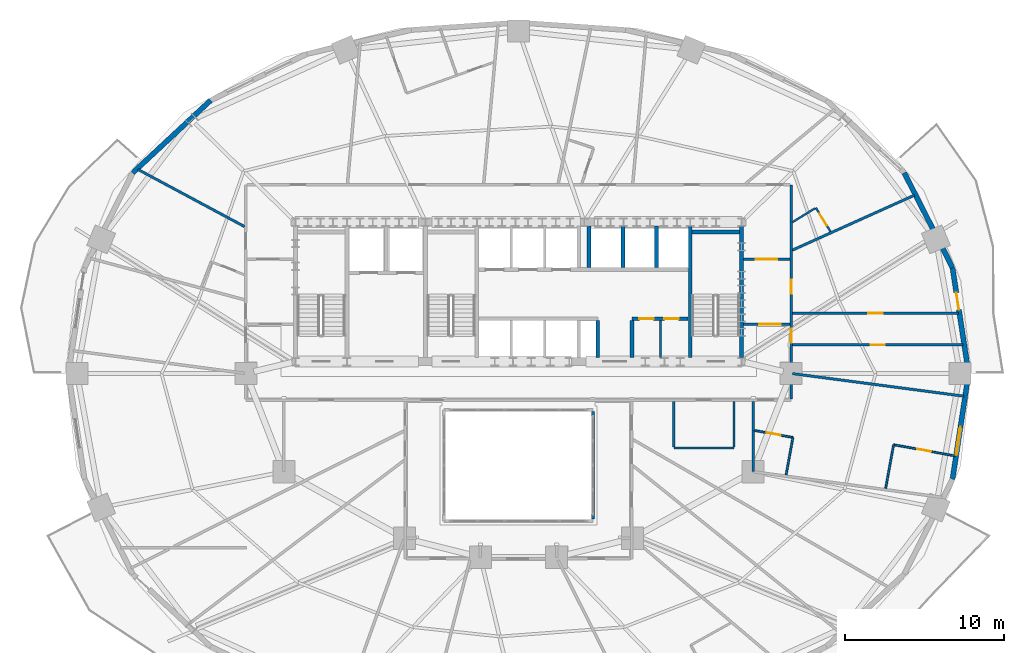
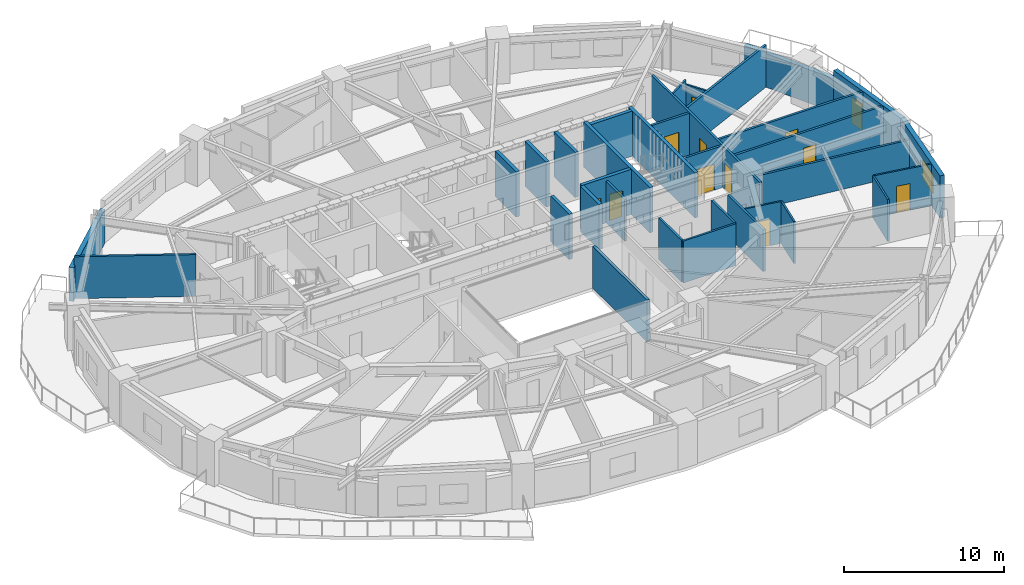
# One storey, part 10 of 16: 33 walls, 12 doors, 1 window, 13 openings.
"""IFC4 building model written with IfcOpenShell, lengths in metres."""

import ifcopenshell
import ifcopenshell.guid

model = None  # the IFC model being written
_history = None  # IfcOwnerHistory: only IFC2X3 demands one
_inside = {}  # id of a spatial element -> (the spatial element, [elements in it])
_under = {}  # id of a project, library or spatial element -> (it, [spatial elements below it])
_declared = {}  # id of a project -> (the project, [libraries it declares])
_typed = {}  # id of a type object -> (the type object, [elements of that type])
_made_of = {}  # id of a material, layer set ... -> (it, [elements and type objects made of it])


def new_model(schema):
    """Start an empty IFC model of exactly this schema.

    Asked for "IFC4X3", IfcOpenShell would pick the latest addendum, in which some entities
    have other attributes; the version numbers below select the first issue.
    IFC2X3 requires an IfcOwnerHistory on every rooted entity: one is made here for all.
    """
    global model, _history
    if schema == "IFC4X3":
        model = ifcopenshell.file(schema_version=(4, 3, 0, 0))
    else:
        model = ifcopenshell.file(schema=schema)
    _inside.clear()
    _under.clear()
    _declared.clear()
    _typed.clear()
    _made_of.clear()
    _history = None
    if model.schema == "IFC2X3":
        org = make("IfcOrganization", Name="unknown")
        user = make(
            "IfcPersonAndOrganization",
            ThePerson=make("IfcPerson", FamilyName="unknown"),
            TheOrganization=org,
        )
        app = make(
            "IfcApplication",
            ApplicationDeveloper=org,
            Version="unknown",
            ApplicationFullName="unknown",
            ApplicationIdentifier="unknown",
        )
        _history = make(
            "IfcOwnerHistory",
            OwningUser=user,
            OwningApplication=app,
            ChangeAction="ADDED",
            CreationDate=0,
        )
    return model


def make(cls, **values):
    """One entity of the class cls with the attributes given. An attribute that is None is left unset."""
    return model.create_entity(
        cls, **{name: value for name, value in values.items() if value is not None}
    )


def rooted(cls, **values):
    """An entity with a GlobalId (a new one), such as an element, a storey or a relation."""
    return make(cls, GlobalId=ifcopenshell.guid.new(), OwnerHistory=_history, **values)


def si_unit(unit_type, name, prefix=None):
    """IfcSIUnit, for example si_unit("LENGTHUNIT", "METRE", prefix="MILLI")."""
    return make("IfcSIUnit", UnitType=unit_type, Prefix=prefix, Name=name)


def assignment(units):
    """IfcUnitAssignment: the units of a project."""
    return None if units is None else make("IfcUnitAssignment", Units=units)


def point(xyz):
    """IfcCartesianPoint."""
    return None if xyz is None else make("IfcCartesianPoint", Coordinates=xyz)


def direction(xyz):
    """IfcDirection."""
    return None if xyz is None else make("IfcDirection", DirectionRatios=xyz)


def frame(location, z_axis=None, x_axis=None):
    """IfcAxis2Placement3D, a coordinate frame: its origin and axes. An axis left out is left unset."""
    return make(
        "IfcAxis2Placement3D",
        Location=point(location),
        Axis=direction(z_axis),
        RefDirection=direction(x_axis),
    )


def frame_2d(location, x_axis=None):
    """IfcAxis2Placement2D, a coordinate frame in the plane: its origin and x axis."""
    return make(
        "IfcAxis2Placement2D", Location=point(location), RefDirection=direction(x_axis)
    )


def origin():
    """The frame at (0, 0, 0) with its axes left unset."""
    return frame((0.0, 0.0, 0.0))


def place(relative_to, where):
    """IfcLocalPlacement: puts the frame where relative to a parent placement (None: the world)."""
    return make(
        "IfcLocalPlacement", PlacementRelTo=relative_to, RelativePlacement=where
    )


def context(
    kind, dimensions, precision=None, world=None, true_north=None, identifier=None
):
    """IfcGeometricRepresentationContext, for example the 3D "Model" context."""
    return make(
        "IfcGeometricRepresentationContext",
        ContextIdentifier=identifier,
        ContextType=kind,
        CoordinateSpaceDimension=dimensions,
        Precision=precision,
        WorldCoordinateSystem=world,
        TrueNorth=true_north,
    )


def subcontext(parent, identifier, kind, view, scale=None):
    """IfcGeometricRepresentationSubContext, for example "Body" below "Model"."""
    return make(
        "IfcGeometricRepresentationSubContext",
        ContextIdentifier=identifier,
        ContextType=kind,
        ParentContext=parent,
        TargetScale=scale,
        TargetView=view,
    )


def project(units=None, contexts=None):
    """IfcProject with its units and contexts."""
    return rooted(
        "IfcProject",
        Name="project",
        RepresentationContexts=contexts,
        UnitsInContext=assignment(units),
    )


def spatial(cls, under=None, at=None, **own):
    """A site, building, storey or space (cls), placed at a placement, below another one or the project."""
    s = rooted(cls, ObjectPlacement=at, **own)
    if under is not None:
        _under.setdefault(under.id(), (under, []))[1].append(s)
    return s


def profile(cls, at=None, kind="AREA", **sizes):
    """A parametric profile (cls). Its sizes go by their IFC names, for example OverallWidth=200.0."""
    return make(cls, ProfileType=kind, Position=at, **sizes)


def rectangle(**sizes):
    """IfcRectangleProfileDef."""
    return profile("IfcRectangleProfileDef", **sizes)


def extrude(swept, where, along, depth):
    """IfcExtrudedAreaSolid: the profile swept, set in the frame where, extruded along a direction by depth."""
    return make(
        "IfcExtrudedAreaSolid",
        SweptArea=swept,
        Position=where,
        ExtrudedDirection=direction(along),
        Depth=depth,
    )


def shape(context_of_items, identifier, shape_type, items):
    """IfcShapeRepresentation: the items that make up one representation, for example the "Body"."""
    return make(
        "IfcShapeRepresentation",
        ContextOfItems=context_of_items,
        RepresentationIdentifier=identifier,
        RepresentationType=shape_type,
        Items=items,
    )


def material(Name=None, Category=None):
    """IfcMaterial."""
    return make("IfcMaterial", Name=Name, Category=Category)


def layer(
    of_material, thickness, ventilated=None, Name=None, Category=None, Priority=None
):
    """IfcMaterialLayer: one layer of a wall or slab, of a material (None: an air gap)."""
    return make(
        "IfcMaterialLayer",
        Material=of_material,
        LayerThickness=thickness,
        IsVentilated=ventilated,
        Name=Name,
        Category=Category,
        Priority=Priority,
    )


def layer_set(layers, Name=None):
    """IfcMaterialLayerSet."""
    return make("IfcMaterialLayerSet", MaterialLayers=layers, LayerSetName=Name)


def made_of(thing, what):
    """Note that an element or type object is made of a material, layer set ...; save() writes the relation."""
    if what is not None:
        _made_of.setdefault(what.id(), (what, []))[1].append(thing)
    return thing


def type_object(cls, material=None, **own):
    """A type object (cls), such as IfcWallType, which elements share."""
    return made_of(rooted(cls, **own), material)


def element(
    cls,
    number,
    at=None,
    inside=None,
    cuts=None,
    type_object=None,
    material=None,
    context=None,
    identifier="Body",
    shape_type=None,
    held_by="IfcProductDefinitionShape",
    body=None,
    shapes=None,
    **own,
):
    """One element of the class cls, such as IfcWall. Its Tag is "e" and its number.

    at: its placement. inside: the storey or other place that contains it. cuts: it is an
    opening in that element (IfcRelVoidsElement). A single representation is given by context,
    identifier, shape_type and body (its items); several are given by shapes. held_by: the class
    of the entity that holds the representations. save() writes the other relations.
    """
    e = rooted(cls, Tag="e%d" % number, ObjectPlacement=at, **own)
    if body is not None:
        shapes = [shape(context, identifier, shape_type, body)]
    if shapes is not None:
        e.Representation = make(held_by, Representations=shapes)
    if inside is not None:
        _inside.setdefault(inside.id(), (inside, []))[1].append(e)
    if cuts is not None:
        rooted(
            "IfcRelVoidsElement", RelatingBuildingElement=cuts, RelatedOpeningElement=e
        )
    if type_object is not None:
        _typed.setdefault(type_object.id(), (type_object, []))[1].append(e)
    return made_of(e, material)


def fill(opening, filler):
    """IfcRelFillsElement: the door or window that sits in an opening."""
    return rooted(
        "IfcRelFillsElement",
        RelatingOpeningElement=opening,
        RelatedBuildingElement=filler,
    )


def aggregate(whole, parts):
    """IfcRelAggregates: a whole, such as a stair, and the parts it consists of."""
    return rooted("IfcRelAggregates", RelatingObject=whole, RelatedObjects=parts)


def save(model, path):
    """Write the relations noted so far, then the file.

    IfcRelAggregates (storeys below a building ...), IfcRelContainedInSpatialStructure (elements
    in a storey), IfcRelDefinesByType, IfcRelAssociatesMaterial and IfcRelDeclares: one each for
    every whole, place, type object, material and project.
    """
    for whole, parts in _under.values():
        aggregate(whole, parts)
    for where, things in _inside.values():
        rooted(
            "IfcRelContainedInSpatialStructure",
            RelatedElements=things,
            RelatingStructure=where,
        )
    for kind, things in _typed.values():
        rooted("IfcRelDefinesByType", RelatedObjects=things, RelatingType=kind)
    for what, things in _made_of.values():
        rooted("IfcRelAssociatesMaterial", RelatedObjects=things, RelatingMaterial=what)
    for by, libraries in _declared.values():
        rooted("IfcRelDeclares", RelatingContext=by, RelatedDefinitions=libraries)
    model.write(path)


model = new_model("IFC4")

# Units and contexts
model_context = context("Model", 3, precision=1e-05, world=origin(), true_north=direction((0.0, 1.0)))
body_context = subcontext(model_context, "Body", "Model", "MODEL_VIEW")
ifc_project = project(units=[si_unit("LENGTHUNIT", "METRE"), si_unit("AREAUNIT", "SQUARE_METRE"), si_unit("VOLUMEUNIT", "CUBIC_METRE"), si_unit("PLANEANGLEUNIT", "RADIAN"), si_unit("MASSUNIT", "GRAM", prefix="KILO")], contexts=[model_context])

# Site, building, storey
site_placement = place(None, origin())
site = spatial("IfcSite", under=ifc_project, at=site_placement, CompositionType="ELEMENT")
building_placement = place(site_placement, origin())
building = spatial("IfcBuilding", under=site, at=building_placement, Name="Haldorwick Loom Tower", CompositionType="ELEMENT")
storey_placement = place(building_placement, frame((0.0, 0.0, 88.699951171875)))
storey = spatial("IfcBuildingStorey", under=building, at=storey_placement, Name="L23", CompositionType="ELEMENT", Elevation=88.699951171875)

# Wall, opening, door
ifc_material_1 = material(Name="Pressed Clay Face Brick and Insulated Masonry Backup Assembly", Category="masonry")
ifc_layer_1 = layer(ifc_material_1, 0.320068359375, Name="Pressed Clay Face Brick and Insulated Masonry Backup Assembly", Category="masonry")
ifc_layer_set_1 = layer_set([ifc_layer_1], Name="Pressed Clay Face Brick and Insulated Masonry Backup Assembly")
wall_type_1 = type_object("IfcWallType", Name="ARC-WL-EXT320", PredefinedType="STANDARD", material=ifc_layer_set_1)
wall_1_placement = place(storey_placement, frame((64.397705078125, 26.0, 0.0), z_axis=(0.0, 0.0, 1.0), x_axis=(-0.150633288003, 0.988589708901, 0.0)))
wall_1 = element("IfcWall", 1, at=wall_1_placement, inside=storey, type_object=wall_type_1, Name="L23 Brick Pier and Spandrel Wall 1", PredefinedType="STANDARD", context=body_context, shape_type="SweptSolid", body=[
    extrude(rectangle(XDim=6.752197265625, YDim=0.320068359375, at=frame_2d((3.3759765625, 0.0))), origin(), (0.0, 0.0, 1.0), 3.2099609375),
])
opening_1_placement = place(wall_1_placement, frame((4.069091796875, 0.0, 0.0)))
opening_1 = element("IfcOpeningElement", 2, at=opening_1_placement, cuts=wall_1, Name="Opening D-BL11", PredefinedType="OPENING", context=body_context, shape_type="SweptSolid", body=[
    extrude(rectangle(XDim=1.080078125, YDim=2.0400390625, at=frame_2d((0.5400390625, 1.02001953125))), frame((0.0, 0.169921875, 0.0), z_axis=(0.0, -1.0, 0.0), x_axis=(1.0, 0.0, 0.0)), (0.0, 0.0, 1.0), 0.340087890625),
])
ifc_material_2 = material(Name="Thermally Broken Anodized Aluminium Curtain Wall Framing", Category="aluminium")
door_type_1 = type_object("IfcDoorType", Name="ARC-DR-BAL110", OperationType="NOTDEFINED", PredefinedType="DOOR", material=ifc_material_2)
door_1_placement = place(opening_1_placement, origin())
door_1 = element("IfcDoor", 3, at=door_1_placement, inside=storey, type_object=door_type_1, Name="L23 Outdoor Terrace Door SLB-L23-BAL_ENE", OperationType="SINGLE_SWING_LEFT", OverallHeight=2.0400390625, OverallWidth=1.080078125, PredefinedType="DOOR", context=body_context, shape_type="SweptSolid", body=[
    extrude(rectangle(XDim=1.080078125, YDim=2.0400390625, at=frame_2d((0.5400390625, 1.02001953125))), frame((0.0, 0.02490234375, 0.0), z_axis=(0.0, -1.0, 0.0), x_axis=(1.0, 0.0, 0.0)), (0.0, 0.0, 1.0), 0.050048828125),
])
fill(opening_1, door_1)

# Walls
wall_2_placement = place(storey_placement, frame((63.380615234375, 32.675048828125, 0.0), z_axis=(0.0, 0.0, 1.0), x_axis=(-0.453374078001, 0.89132033826, 0.0)))
element("IfcWall", 4, at=wall_2_placement, inside=storey, type_object=wall_type_1, Name="L23 Brick Pier and Spandrel Wall 2", PredefinedType="STANDARD", context=body_context, shape_type="SweptSolid", body=[
    extrude(rectangle(XDim=6.709716796875, YDim=0.320068359375, at=frame_2d((3.35498046875, 0.0))), origin(), (0.0, 0.0, 1.0), 2.569091796875),
])
wall_3_placement = place(storey_placement, frame((16.573486328125, 43.2255859375, 0.0), z_axis=(0.0, 0.0, 1.0), x_axis=(-0.732137360086, -0.681157020052, 0.0)))
element("IfcWall", 5, at=wall_3_placement, inside=storey, type_object=wall_type_1, Name="L23 Brick Pier and Spandrel Wall 10", PredefinedType="STANDARD", context=body_context, shape_type="SweptSolid", body=[
    extrude(rectangle(XDim=6.709228515625, YDim=0.320068359375, at=frame_2d((3.3544921875, 0.0))), origin(), (0.0, 0.0, 1.0), 2.569091796875),
])

# Wall, opening, window
wall_4_placement = place(storey_placement, frame((63.380615234375, 19.324951171875, 0.0), z_axis=(0.0, 0.0, 1.0), x_axis=(0.150633288003, 0.988589708901, 0.0)))
wall_4 = element("IfcWall", 6, at=wall_4_placement, inside=storey, type_object=wall_type_1, Name="L23 Brick Pier and Spandrel Wall 24", PredefinedType="STANDARD", context=body_context, shape_type="SweptSolid", body=[
    extrude(rectangle(XDim=6.752197265625, YDim=0.320068359375, at=frame_2d((3.3759765625, 0.0))), origin(), (0.0, 0.0, 1.0), 3.2099609375),
])
opening_2_placement = place(wall_4_placement, frame((1.54345703125, 0.0, 0.800048828125)))
opening_2 = element("IfcOpeningElement", 7, at=opening_2_placement, cuts=wall_4, Name="Opening W-01", PredefinedType="OPENING", context=body_context, shape_type="SweptSolid", body=[
    extrude(rectangle(XDim=1.800048828125, YDim=1.47998046875, at=frame_2d((0.89990234375, 0.739990234375))), frame((0.0, 0.169921875, 0.0), z_axis=(0.0, -1.0, 0.0), x_axis=(1.0, 0.0, 0.0)), (0.0, 0.0, 1.0), 0.340087890625),
])
ifc_material_3 = material(Name="Triple-Glazed Low-E Argon Insulated Glazing Unit", Category="glass")
window_type = type_object("IfcWindowType", Name="ARC-WIN-W180", PartitioningType="SINGLE_PANEL", PredefinedType="WINDOW", material=ifc_material_3)
window_placement = place(opening_2_placement, origin())
window = element("IfcWindow", 8, at=window_placement, inside=storey, type_object=window_type, Name="L23 Deep-Set Zone 7A Window 24", OverallHeight=1.47998046875, OverallWidth=1.800048828125, PartitioningType="SINGLE_PANEL", PredefinedType="WINDOW", context=body_context, shape_type="SweptSolid", body=[
    extrude(rectangle(XDim=1.800048828125, YDim=1.47998046875, at=frame_2d((0.89990234375, 0.739990234375))), frame((0.0, 0.030029296875, 0.0), z_axis=(0.0, -1.0, 0.0), x_axis=(1.0, 0.0, 0.0)), (0.0, 0.0, 1.0), 0.06005859375),
])
fill(opening_2, window)

# Wall, openings, doors
ifc_material_4 = material(Name="Fire-Rated Type X Gypsum Stud Assembly EI 60")
ifc_layer_2 = layer(ifc_material_4, 0.159912109375, Name="Fire-Rated Type X Gypsum Stud Assembly EI 60")
ifc_layer_set_2 = layer_set([ifc_layer_2], Name="Fire-Rated Type X Gypsum Stud Assembly EI 60")
wall_type_2 = type_object("IfcWallType", Name="ARC-WL-FIRE160", PredefinedType="PARTITIONING", material=ifc_layer_set_2)
wall_5_placement = place(storey_placement, frame((53.199951171875, 24.383056640625, 0.0), z_axis=(0.0, 0.0, 1.0), x_axis=(0.0, 1.0, 0.0)))
wall_5 = element("IfcWall", 9, at=wall_5_placement, inside=storey, type_object=wall_type_2, Name="L23 Residential Fire Partition L23-CR-E0", PredefinedType="PARTITIONING", context=body_context, shape_type="SweptSolid", body=[
    extrude(rectangle(XDim=13.516845703125, YDim=0.159912109375, at=frame_2d((6.75830078125, 0.0))), origin(), (0.0, 0.0, 1.0), 3.195068359375),
])
opening_3_placement = place(wall_5_placement, frame((3.53857421875, 0.0, 0.0)))
opening_3 = element("IfcOpeningElement", 10, at=opening_3_placement, cuts=wall_5, Name="Opening D-FD60A", PredefinedType="OPENING", context=body_context, shape_type="SweptSolid", body=[
    extrude(rectangle(XDim=0.89990234375, YDim=2.0, at=frame_2d((0.449951171875, 1.0))), frame((0.0, 0.08984375, 0.0), z_axis=(0.0, -1.0, 0.0), x_axis=(1.0, 0.0, 0.0)), (0.0, 0.0, 1.0), 0.179931640625),
])
opening_4_placement = place(wall_5_placement, frame((6.640869140625, 0.0, 0.0)))
opening_4 = element("IfcOpeningElement", 11, at=opening_4_placement, cuts=wall_5, Name="Opening D-FD60A", PredefinedType="OPENING", context=body_context, shape_type="SweptSolid", body=[
    extrude(rectangle(XDim=0.89990234375, YDim=2.0, at=frame_2d((0.449951171875, 1.0))), frame((0.0, 0.08984375, 0.0), z_axis=(0.0, -1.0, 0.0), x_axis=(1.0, 0.0, 0.0)), (0.0, 0.0, 1.0), 0.179931640625),
])
ifc_material_5 = material(Name="Hollow Steel Fire Door Assembly", Category="steel")
door_type_2 = type_object("IfcDoorType", Name="ARC-DR-FD60-90", OperationType="NOTDEFINED", PredefinedType="DOOR", material=ifc_material_5)
door_2_placement = place(opening_3_placement, origin())
door_2 = element("IfcDoor", 12, at=door_2_placement, inside=storey, type_object=door_type_2, Name="L23 L23 Central Residential Corridor to L23 East Daylight Corridor Door", OperationType="SINGLE_SWING_LEFT", OverallHeight=2.0, OverallWidth=0.89990234375, PredefinedType="DOOR", context=body_context, shape_type="SweptSolid", body=[
    extrude(rectangle(XDim=0.89990234375, YDim=2.0, at=frame_2d((0.449951171875, 1.0))), frame((0.0, 0.02490234375, 0.0), z_axis=(0.0, -1.0, 0.0), x_axis=(1.0, 0.0, 0.0)), (0.0, 0.0, 1.0), 0.050048828125),
])
fill(opening_3, door_2)
door_3_placement = place(opening_4_placement, origin())
door_3 = element("IfcDoor", 13, at=door_3_placement, inside=storey, type_object=door_type_2, Name="L23 L23 East Residential Corridor to Shared Resident Dining Hall 4 Door", OperationType="SINGLE_SWING_LEFT", OverallHeight=2.0, OverallWidth=0.89990234375, PredefinedType="DOOR", context=body_context, shape_type="SweptSolid", body=[
    extrude(rectangle(XDim=0.89990234375, YDim=2.0, at=frame_2d((0.449951171875, 1.0))), frame((0.0, 0.02490234375, 0.0), z_axis=(0.0, -1.0, 0.0), x_axis=(1.0, 0.0, 0.0)), (0.0, 0.0, 1.0), 0.050048828125),
])
fill(opening_4, door_3)

# Wall, opening, door
wall_6_placement = place(storey_placement, frame((50.193115234375, 29.10009765625, 0.0), z_axis=(0.0, 0.0, 1.0), x_axis=(1.0, 0.0, 0.0)))
wall_6 = element("IfcWall", 14, at=wall_6_placement, inside=storey, type_object=wall_type_2, Name="L23 Residential Fire Partition L23-CR-ESJ", PredefinedType="PARTITIONING", context=body_context, shape_type="SweptSolid", body=[
    extrude(rectangle(XDim=2.923828125, YDim=0.159912109375, at=frame_2d((1.4619140625, 0.0))), origin(), (0.0, 0.0, 1.0), 3.195068359375),
])
opening_5_placement = place(wall_6_placement, frame((0.99560546875, 0.0, 0.0)))
opening_5 = element("IfcOpeningElement", 15, at=opening_5_placement, cuts=wall_6, Name="Opening D-CR15", PredefinedType="OPENING", context=body_context, shape_type="SweptSolid", body=[
    extrude(rectangle(XDim=1.35009765625, YDim=2.0, at=frame_2d((0.675048828125, 1.0))), frame((0.0, 0.08984375, 0.0), z_axis=(0.0, -1.0, 0.0), x_axis=(1.0, 0.0, 0.0)), (0.0, 0.0, 1.0), 0.179931640625),
])
ifc_material_6 = material(Name="Thermally Broken Anodized Aluminium and Tempered Glass", Category="aluminium")
door_type_3 = type_object("IfcDoorType", Name="ARC-DR-COR150", OperationType="NOTDEFINED", PredefinedType="DOOR", material=ifc_material_6)
door_4_placement = place(opening_5_placement, origin())
door_4 = element("IfcDoor", 16, at=door_4_placement, inside=storey, type_object=door_type_3, Name="L23 L23 East Residential Corridor to L23 Central Residential Corridor Do", OperationType="DOUBLE_DOOR_SINGLE_SWING", OverallHeight=2.0, OverallWidth=1.35009765625, PredefinedType="DOOR", context=body_context, shape_type="SweptSolid", body=[
    extrude(rectangle(XDim=1.35009765625, YDim=2.0, at=frame_2d((0.675048828125, 1.0))), frame((0.0, 0.02490234375, 0.0), z_axis=(0.0, -1.0, 0.0), x_axis=(1.0, 0.0, 0.0)), (0.0, 0.0, 1.0), 0.050048828125),
])
fill(opening_5, door_4)

wall_7_placement = place(storey_placement, frame((50.193115234375, 33.199951171875, 0.0), z_axis=(0.0, 0.0, 1.0), x_axis=(1.0, 0.0, 0.0)))
wall_7 = element("IfcWall", 17, at=wall_7_placement, inside=storey, type_object=wall_type_2, Name="L23 Residential Fire Partition L23-CR-ENJ", PredefinedType="PARTITIONING", context=body_context, shape_type="SweptSolid", body=[
    extrude(rectangle(XDim=2.923828125, YDim=0.159912109375, at=frame_2d((1.4619140625, 0.0))), origin(), (0.0, 0.0, 1.0), 3.195068359375),
])
opening_6_placement = place(wall_7_placement, frame((0.787109375, 0.0, 0.0)))
opening_6 = element("IfcOpeningElement", 18, at=opening_6_placement, cuts=wall_7, Name="Opening D-CR15", PredefinedType="OPENING", context=body_context, shape_type="SweptSolid", body=[
    extrude(rectangle(XDim=1.35009765625, YDim=2.0, at=frame_2d((0.675048828125, 1.0))), frame((0.0, 0.08984375, 0.0), z_axis=(0.0, -1.0, 0.0), x_axis=(1.0, 0.0, 0.0)), (0.0, 0.0, 1.0), 0.179931640625),
])
door_5_placement = place(opening_6_placement, origin())
door_5 = element("IfcDoor", 19, at=door_5_placement, inside=storey, type_object=door_type_3, Name="L23 L23 North Residential Corridor to L23 East Residential Corridor Door", OperationType="DOUBLE_DOOR_SINGLE_SWING", OverallHeight=2.0, OverallWidth=1.35009765625, PredefinedType="DOOR", context=body_context, shape_type="SweptSolid", body=[
    extrude(rectangle(XDim=1.35009765625, YDim=2.0, at=frame_2d((0.675048828125, 1.0))), frame((0.0, 0.02490234375, 0.0), z_axis=(0.0, -1.0, 0.0), x_axis=(1.0, 0.0, 0.0)), (0.0, 0.0, 1.0), 0.050048828125),
])
fill(opening_6, door_5)

wall_8_placement = place(storey_placement, frame((53.282958984375, 27.800048828125, 0.0), z_axis=(0.0, 0.0, 1.0), x_axis=(1.0, 0.0, 0.0)))
wall_8 = element("IfcWall", 20, at=wall_8_placement, inside=storey, type_object=wall_type_2, Name="L23 Residential Fire Partition L23-CR-GE0", PredefinedType="PARTITIONING", context=body_context, shape_type="SweptSolid", body=[
    extrude(rectangle(XDim=10.774658203125, YDim=0.159912109375, at=frame_2d((5.38720703125, 0.0))), origin(), (0.0, 0.0, 1.0), 3.195068359375),
])
opening_7_placement = place(wall_8_placement, frame((4.937255859375, 0.0, 0.0)))
opening_7 = element("IfcOpeningElement", 21, at=opening_7_placement, cuts=wall_8, Name="Opening D-FD60A", PredefinedType="OPENING", context=body_context, shape_type="SweptSolid", body=[
    extrude(rectangle(XDim=0.89990234375, YDim=2.0, at=frame_2d((0.449951171875, 1.0))), frame((0.0, 0.08984375, 0.0), z_axis=(0.0, -1.0, 0.0), x_axis=(1.0, 0.0, 0.0)), (0.0, 0.0, 1.0), 0.179931640625),
])
door_6_placement = place(opening_7_placement, origin())
door_6 = element("IfcDoor", 22, at=door_6_placement, inside=storey, type_object=door_type_2, Name="L23 L23 East Daylight Corridor to Co-Working Office 3 Door", OperationType="SINGLE_SWING_RIGHT", OverallHeight=2.0, OverallWidth=0.89990234375, PredefinedType="DOOR", context=body_context, shape_type="SweptSolid", body=[
    extrude(rectangle(XDim=0.89990234375, YDim=2.0, at=frame_2d((0.449951171875, 1.0))), frame((0.0, 0.02490234375, 0.0), z_axis=(0.0, -1.0, 0.0), x_axis=(1.0, 0.0, 0.0)), (0.0, 0.0, 1.0), 0.050048828125),
])
fill(opening_7, door_6)

wall_9_placement = place(storey_placement, frame((53.282958984375, 29.800048828125, 0.0), z_axis=(0.0, 0.0, 1.0), x_axis=(1.0, 0.0, 0.0)))
wall_9 = element("IfcWall", 23, at=wall_9_placement, inside=storey, type_object=wall_type_2, Name="L23 Residential Fire Partition L23-CR-GE1", PredefinedType="PARTITIONING", context=body_context, shape_type="SweptSolid", body=[
    extrude(rectangle(XDim=10.4697265625, YDim=0.159912109375, at=frame_2d((5.23486328125, 0.0))), origin(), (0.0, 0.0, 1.0), 3.195068359375),
])
opening_8_placement = place(wall_9_placement, frame((4.784912109375, 0.0, 0.0)))
opening_8 = element("IfcOpeningElement", 24, at=opening_8_placement, cuts=wall_9, Name="Opening D-FD60A", PredefinedType="OPENING", context=body_context, shape_type="SweptSolid", body=[
    extrude(rectangle(XDim=0.89990234375, YDim=2.0, at=frame_2d((0.449951171875, 1.0))), frame((0.0, 0.08984375, 0.0), z_axis=(0.0, -1.0, 0.0), x_axis=(1.0, 0.0, 0.0)), (0.0, 0.0, 1.0), 0.179931640625),
])
door_7_placement = place(opening_8_placement, frame((0.89990234375, 0.0, 0.0), z_axis=(0.0, 0.0, 1.0), x_axis=(-1.0, 0.0, 0.0)))
door_7 = element("IfcDoor", 25, at=door_7_placement, inside=storey, type_object=door_type_2, Name="L23 Shared Resident Dining Hall 4 to L23 East Daylight Corridor Door", OperationType="SINGLE_SWING_LEFT", OverallHeight=2.0, OverallWidth=0.89990234375, PredefinedType="DOOR", context=body_context, shape_type="SweptSolid", body=[
    extrude(rectangle(XDim=0.89990234375, YDim=2.0, at=frame_2d((0.449951171875, 1.0))), frame((0.0, 0.02490234375, 0.0), z_axis=(0.0, -1.0, 0.0), x_axis=(1.0, 0.0, 0.0)), (0.0, 0.0, 1.0), 0.050048828125),
])
fill(opening_8, door_7)

# Walls
wall_10_placement = place(storey_placement, frame((53.282958984375, 25.989013671875, 0.0), z_axis=(0.0, 0.0, 1.0), x_axis=(0.991444783686, -0.130526782315, 0.0)))
element("IfcWall", 26, at=wall_10_placement, inside=storey, type_object=wall_type_2, Name="L23 Residential Fire Partition L23-ICR-01", PredefinedType="PARTITIONING", context=body_context, shape_type="SweptSolid", body=[
    extrude(rectangle(XDim=10.92333984375, YDim=0.159912109375, at=frame_2d((5.461669921875, 0.0))), origin(), (0.0, 0.0, 1.0), 2.568115234375),
])
wall_11_placement = place(storey_placement, frame((50.800048828125, 24.217041015625, 0.0), z_axis=(0.0, 0.0, 1.0), x_axis=(0.0, -1.0, 0.0)))
element("IfcWall", 27, at=wall_11_placement, inside=storey, type_object=wall_type_2, Name="L23 Residential Fire Partition L23-ICA-02", PredefinedType="PARTITIONING", context=body_context, shape_type="SweptSolid", body=[
    extrude(rectangle(XDim=4.4169921875, YDim=0.159912109375, at=frame_2d((2.20849609375, 0.0))), origin(), (0.0, 0.0, 1.0), 3.195068359375),
])
wall_12_placement = place(storey_placement, frame((18.717041015625, 35.26318359375, 0.0), z_axis=(0.0, 0.0, 1.0), x_axis=(-0.8813791741, 0.472409516694, 0.0)))
element("IfcWall", 28, at=wall_12_placement, inside=storey, type_object=wall_type_2, Name="L23 Suite Split Wall", PredefinedType="PARTITIONING", context=body_context, shape_type="SweptSolid", body=[
    extrude(rectangle(XDim=7.63525390625, YDim=0.159912109375, at=frame_2d((3.817626953125, 0.0))), origin(), (0.0, 0.0, 1.0), 3.195068359375),
])
wall_13_placement = place(storey_placement, frame((53.282958984375, 33.780029296875, 0.0), z_axis=(0.0, 0.0, 1.0), x_axis=(0.911868479781, 0.4104824912, 0.0)))
element("IfcWall", 29, at=wall_13_placement, inside=storey, type_object=wall_type_2, Name="L23 Suite Split Wall", PredefinedType="PARTITIONING", context=body_context, shape_type="SweptSolid", body=[
    extrude(rectangle(XDim=8.44384765625, YDim=0.159912109375, at=frame_2d((4.221923828125, 0.0))), origin(), (0.0, 0.0, 1.0), 3.195068359375),
])
ifc_material_7 = material(Name="Fire-Rated Type X Gypsum Stud Assembly EI 120")
ifc_layer_3 = layer(ifc_material_7, 0.199951171875, Name="Fire-Rated Type X Gypsum Stud Assembly EI 120")
ifc_layer_set_3 = layer_set([ifc_layer_3], Name="Fire-Rated Type X Gypsum Stud Assembly EI 120")
wall_type_3 = type_object("IfcWallType", Name="ARC-WL-FIRE200", PredefinedType="PARTITIONING", material=ifc_layer_set_3)
wall_14_placement = place(storey_placement, frame((40.699951171875, 23.596923828125, 0.0), z_axis=(0.0, 0.0, 1.0), x_axis=(0.0, -1.0, 0.0)))
element("IfcWall", 30, at=wall_14_placement, inside=storey, type_object=wall_type_3, Name="L23 Atrium Fire Enclosure Wall E", PredefinedType="PARTITIONING", context=body_context, shape_type="SweptSolid", body=[
    extrude(rectangle(XDim=6.7939453125, YDim=0.199951171875, at=frame_2d((3.39697265625, 0.0))), origin(), (0.0, 0.0, 1.0), 3.195068359375),
])
ifc_material_8 = material(Name="Acoustic Gypsum Stud Assembly STC 55")
ifc_layer_4 = layer(ifc_material_8, 0.1201171875, Name="Acoustic Gypsum Stud Assembly STC 55")
ifc_layer_set_4 = layer_set([ifc_layer_4], Name="Acoustic Gypsum Stud Assembly STC 55")
wall_type_4 = type_object("IfcWallType", Name="ARC-WL-PART120", PredefinedType="PARTITIONING", material=ifc_layer_set_4)
wall_15_placement = place(storey_placement, frame((52.881103515625, 19.601318359375, 0.0), z_axis=(0.0, 0.0, 1.0), x_axis=(0.179243914154, 0.983804665185, 0.0)))
element("IfcWall", 31, at=wall_15_placement, inside=storey, type_object=wall_type_4, Name="L23 Unit 23B Interior Partition", PredefinedType="PARTITIONING", context=body_context, shape_type="SweptSolid", body=[
    extrude(rectangle(XDim=2.397216796875, YDim=0.1201171875, at=frame_2d((1.19873046875, 0.0))), origin(), (0.0, 0.0, 1.0), 3.195068359375),
])

# Wall, opening, door
wall_16_placement = place(storey_placement, frame((50.883056640625, 22.40185546875, 0.0), z_axis=(0.0, 0.0, 1.0), x_axis=(0.983817630046, -0.179172740146, 0.0)))
wall_16 = element("IfcWall", 32, at=wall_16_placement, inside=storey, type_object=wall_type_4, Name="L23 Unit 23B Interior Partition", PredefinedType="PARTITIONING", context=body_context, shape_type="SweptSolid", body=[
    extrude(rectangle(XDim=2.4677734375, YDim=0.1201171875, at=frame_2d((1.23388671875, 0.0))), origin(), (0.0, 0.0, 1.0), 3.195068359375),
])
opening_9_placement = place(wall_16_placement, frame((0.793701171875, 0.0, 0.0)))
opening_9 = element("IfcOpeningElement", 33, at=opening_9_placement, cuts=wall_16, Name="Opening D-BT88", PredefinedType="OPENING", context=body_context, shape_type="SweptSolid", body=[
    extrude(rectangle(XDim=0.8798828125, YDim=2.02001953125, at=frame_2d((0.43994140625, 1.010009765625))), frame((0.0, 0.070068359375, 0.0), z_axis=(0.0, -1.0, 0.0), x_axis=(1.0, 0.0, 0.0)), (0.0, 0.0, 1.0), 0.14013671875),
])
ifc_material_9 = material(Name="Solid Core Birch Architectural Door")
door_type_4 = type_object("IfcDoorType", Name="ARC-DR-BATH88", OperationType="NOTDEFINED", PredefinedType="DOOR", material=ifc_material_9)
door_8_placement = place(opening_9_placement, origin())
door_8 = element("IfcDoor", 34, at=door_8_placement, inside=storey, type_object=door_type_4, Name="L23 Unit 23B Kitchen and Living Room to Unit 23B Bathroom Door", OperationType="SINGLE_SWING_LEFT", OverallHeight=2.02001953125, OverallWidth=0.8798828125, PredefinedType="DOOR", context=body_context, shape_type="SweptSolid", body=[
    extrude(rectangle(XDim=0.8798828125, YDim=2.02001953125, at=frame_2d((0.43994140625, 1.010009765625))), frame((0.0, 0.02490234375, 0.0), z_axis=(0.0, -1.0, 0.0), x_axis=(1.0, 0.0, 0.0)), (0.0, 0.0, 1.0), 0.050048828125),
])
fill(opening_9, door_8)

# Wall
wall_17_placement = place(storey_placement, frame((59.163330078125, 18.74853515625, 0.0), z_axis=(0.0, 0.0, 1.0), x_axis=(0.179246186382, 0.983804251194, 0.0)))
element("IfcWall", 35, at=wall_17_placement, inside=storey, type_object=wall_type_4, Name="L23 Unit 23B Interior Partition", PredefinedType="PARTITIONING", context=body_context, shape_type="SweptSolid", body=[
    extrude(rectangle(XDim=2.799072265625, YDim=0.1201171875, at=frame_2d((1.3994140625, 0.0))), origin(), (0.0, 0.0, 1.0), 3.195068359375),
])

# Wall, opening, door
wall_18_placement = place(storey_placement, frame((59.6650390625, 21.502197265625, 0.0), z_axis=(0.0, 0.0, 1.0), x_axis=(0.983805366882, -0.179240062746, 0.0)))
wall_18 = element("IfcWall", 36, at=wall_18_placement, inside=storey, type_object=wall_type_4, Name="L23 Unit 23B Interior Partition", PredefinedType="PARTITIONING", context=body_context, shape_type="SweptSolid", body=[
    extrude(rectangle(XDim=3.937744140625, YDim=0.1201171875, at=frame_2d((1.96875, 0.0))), origin(), (0.0, 0.0, 1.0), 3.195068359375),
])
opening_10_placement = place(wall_18_placement, frame((1.518798828125, 0.0, 0.0)))
opening_10 = element("IfcOpeningElement", 37, at=opening_10_placement, cuts=wall_18, Name="Opening D-IN90", PredefinedType="OPENING", context=body_context, shape_type="SweptSolid", body=[
    extrude(rectangle(XDim=0.89990234375, YDim=2.0400390625, at=frame_2d((0.449951171875, 1.02001953125))), frame((0.0, 0.070068359375, 0.0), z_axis=(0.0, -1.0, 0.0), x_axis=(1.0, 0.0, 0.0)), (0.0, 0.0, 1.0), 0.14013671875),
])
door_type_5 = type_object("IfcDoorType", Name="ARC-DR-INT90", OperationType="NOTDEFINED", PredefinedType="DOOR", material=ifc_material_9)
door_9_placement = place(opening_10_placement, origin())
door_9 = element("IfcDoor", 38, at=door_9_placement, inside=storey, type_object=door_type_5, Name="L23 Unit 23B Kitchen and Living Room to Unit 23B Bedroom 1 Door", OperationType="SINGLE_SWING_RIGHT", OverallHeight=2.0400390625, OverallWidth=0.89990234375, PredefinedType="DOOR", context=body_context, shape_type="SweptSolid", body=[
    extrude(rectangle(XDim=0.89990234375, YDim=2.0400390625, at=frame_2d((0.449951171875, 1.02001953125))), frame((0.0, 0.02490234375, 0.0), z_axis=(0.0, -1.0, 0.0), x_axis=(1.0, 0.0, 0.0)), (0.0, 0.0, 1.0), 0.050048828125),
])
fill(opening_10, door_9)

wall_19_placement = place(storey_placement, frame((55.681640625, 34.950927734375, 0.0), z_axis=(0.0, 0.0, 1.0), x_axis=(-0.523501526712, 0.852024736455, 0.0)))
wall_19 = element("IfcWall", 39, at=wall_19_placement, inside=storey, type_object=wall_type_4, Name="L23 Unit 23M Interior Partition", PredefinedType="PARTITIONING", context=body_context, shape_type="SweptSolid", body=[
    extrude(rectangle(XDim=1.760498046875, YDim=0.1201171875, at=frame_2d((0.88037109375, 0.0))), origin(), (0.0, 0.0, 1.0), 2.8271484375),
])
opening_11_placement = place(wall_19_placement, frame((0.440185546875, 0.0, 0.0)))
opening_11 = element("IfcOpeningElement", 40, at=opening_11_placement, cuts=wall_19, Name="Opening D-BT88", PredefinedType="OPENING", context=body_context, shape_type="SweptSolid", body=[
    extrude(rectangle(XDim=0.8798828125, YDim=2.02001953125, at=frame_2d((0.43994140625, 1.010009765625))), frame((0.0, 0.070068359375, 0.0), z_axis=(0.0, -1.0, 0.0), x_axis=(1.0, 0.0, 0.0)), (0.0, 0.0, 1.0), 0.14013671875),
])
door_10_placement = place(opening_11_placement, origin())
door_10 = element("IfcDoor", 41, at=door_10_placement, inside=storey, type_object=door_type_4, Name="L23 Unit 23M Bathroom to Unit 23M Kitchen and Studio Living Room Door", OperationType="SINGLE_SWING_LEFT", OverallHeight=2.02001953125, OverallWidth=0.8798828125, PredefinedType="DOOR", context=body_context, shape_type="SweptSolid", body=[
    extrude(rectangle(XDim=0.8798828125, YDim=2.02001953125, at=frame_2d((0.43994140625, 1.010009765625))), frame((0.0, 0.02490234375, 0.0), z_axis=(0.0, -1.0, 0.0), x_axis=(1.0, 0.0, 0.0)), (0.0, 0.0, 1.0), 0.050048828125),
])
fill(opening_11, door_10)

# Walls
wall_20_placement = place(storey_placement, frame((53.282958984375, 35.543212890625, 0.0), z_axis=(0.0, 0.0, 1.0), x_axis=(0.851964238623, 0.523599977185, 0.0)))
element("IfcWall", 42, at=wall_20_placement, inside=storey, type_object=wall_type_4, Name="L23 Unit 23M Interior Partition", PredefinedType="PARTITIONING", context=body_context, shape_type="SweptSolid", body=[
    extrude(rectangle(XDim=1.670654296875, YDim=0.1201171875, at=frame_2d((0.83544921875, 0.0))), origin(), (0.0, 0.0, 1.0), 3.195068359375),
])
ifc_layer_5 = layer(ifc_material_4, 0.139892578125, Name="Fire-Rated Type X Gypsum Stud Assembly EI 60")
ifc_layer_set_5 = layer_set([ifc_layer_5], Name="Fire-Rated Type X Gypsum Stud Assembly EI 60")
wall_type_5 = type_object("IfcWallType", Name="ARC-WL-PART140", PredefinedType="PARTITIONING", material=ifc_layer_set_5)
wall_21_placement = place(storey_placement, frame((44.949951171875, 27.0029296875, 0.0), z_axis=(0.0, 0.0, 1.0), x_axis=(0.0, 1.0, 0.0)))
element("IfcWall", 43, at=wall_21_placement, inside=storey, type_object=wall_type_5, Name="L23 Service Partition", PredefinedType="PARTITIONING", context=body_context, shape_type="SweptSolid", body=[
    extrude(rectangle(XDim=2.323974609375, YDim=0.139892578125, at=frame_2d((1.162109375, 0.0))), origin(), (0.0, 0.0, 1.0), 3.195068359375),
])
wall_22_placement = place(storey_placement, frame((45.800048828125, 21.300048828125, 0.0), z_axis=(0.0, 0.0, 1.0), x_axis=(1.0, 0.0, 0.0)))
element("IfcWall", 44, at=wall_22_placement, inside=storey, type_object=wall_type_5, Name="L23 Residential Fire Partition L23-CWC-S", PredefinedType="PARTITIONING", context=body_context, shape_type="SweptSolid", body=[
    extrude(rectangle(XDim=3.800048828125, YDim=0.139892578125, at=frame_2d((1.89990234375, 0.0))), origin(), (0.0, 0.0, 1.0), 3.195068359375),
])
for number, where, z_axis, x_axis, name in (
    (45, (45.800048828125, 21.373046875, 0.0), (0.0, 0.0, 1.0), (0.0, 1.0, 0.0), "L23 Residential Fire Partition L23-CWC-W"),
    (46, (49.60009765625, 21.373046875, 0.0), (0.0, 0.0, 1.0), (0.0, 1.0, 0.0), "L23 Residential Fire Partition L23-CWC-E"),
):
    element("IfcWall", number, at=place(storey_placement, frame(where, z_axis=z_axis, x_axis=x_axis)), inside=storey, type_object=wall_type_5, Name=name, PredefinedType="PARTITIONING", context=body_context, shape_type="SweptSolid", body=[
        extrude(rectangle(XDim=2.843994140625, YDim=0.139892578125, at=frame_2d((1.421875, 0.0))), origin(), (0.0, 0.0, 1.0), 3.195068359375),
    ])
ifc_material_10 = material(Name="Concrete C50 (50 MPa)", Category="concrete")
ifc_layer_6 = layer(ifc_material_10, 0.239990234375, Name="Concrete C50 (50 MPa)", Category="concrete")
ifc_layer_set_6 = layer_set([ifc_layer_6], Name="Concrete C50 (50 MPa)")
wall_type_6 = type_object("IfcWallType", Name="STR-WL-SHAFT240", PredefinedType="SHEAR", material=ifc_layer_set_6)
for number, where, z_axis, x_axis, name in (
    (47, (50.070068359375, 27.0029296875, 0.0), (0.0, 0.0, 1.0), (0.0, 1.0, 0.0), "L23 Core Shear Wall E"),
    (48, (46.830078125, 27.0029296875, 0.0), (0.0, 0.0, 1.0), (0.0, 1.0, 0.0), "L23 Core Shear Wall 4"),
):
    element("IfcWall", number, at=place(storey_placement, frame(where, z_axis=z_axis, x_axis=x_axis)), inside=storey, type_object=wall_type_6, Name=name, PredefinedType="SHEAR", context=body_context, shape_type="SweptSolid", body=[
        extrude(rectangle(XDim=8.294189453125, YDim=0.239990234375, at=frame_2d((4.14697265625, 0.0))), origin(), (0.0, 0.0, 1.0), 3.449951171875),
    ])
wall_23_placement = place(storey_placement, frame((46.952880859375, 34.919921875, 0.0), z_axis=(0.0, 0.0, 1.0), x_axis=(1.0, 0.0, 0.0)))
element("IfcWall", 49, at=wall_23_placement, inside=storey, type_object=wall_type_6, Name="L23 Core Shear Wall 4N", PredefinedType="SHEAR", context=body_context, shape_type="SweptSolid", body=[
    extrude(rectangle(XDim=2.994140625, YDim=0.239990234375, at=frame_2d((1.4970703125, 0.0))), origin(), (0.0, 0.0, 1.0), 3.449951171875),
])

# Wall, openings, doors
wall_24_placement = place(storey_placement, frame((43.14990234375, 29.449951171875, 0.0), z_axis=(0.0, 0.0, 1.0), x_axis=(1.0, 0.0, 0.0)))
wall_24 = element("IfcWall", 50, at=wall_24_placement, inside=storey, type_object=wall_type_6, Name="L23 Core Shear Wall LS2", PredefinedType="SHEAR", context=body_context, shape_type="SweptSolid", body=[
    extrude(rectangle(XDim=3.55712890625, YDim=0.239990234375, at=frame_2d((1.778564453125, 0.0))), origin(), (0.0, 0.0, 1.0), 3.449951171875),
])
opening_12_placement = place(wall_24_placement, frame((0.47998046875, 0.0, 0.0)))
opening_12 = element("IfcOpeningElement", 51, at=opening_12_placement, cuts=wall_24, Name="Opening D-FD60A", PredefinedType="OPENING", context=body_context, shape_type="SweptSolid", body=[
    extrude(rectangle(XDim=0.89990234375, YDim=2.0, at=frame_2d((0.449951171875, 1.0))), frame((0.0, 0.1298828125, 0.0), z_axis=(0.0, -1.0, 0.0), x_axis=(1.0, 0.0, 0.0)), (0.0, 0.0, 1.0), 0.260009765625),
])
opening_13_placement = place(wall_24_placement, frame((2.050048828125, 0.0, 0.0)))
opening_13 = element("IfcOpeningElement", 52, at=opening_13_placement, cuts=wall_24, Name="Opening D-FD60A", PredefinedType="OPENING", context=body_context, shape_type="SweptSolid", body=[
    extrude(rectangle(XDim=0.89990234375, YDim=2.0, at=frame_2d((0.449951171875, 1.0))), frame((0.0, 0.1298828125, 0.0), z_axis=(0.0, -1.0, 0.0), x_axis=(1.0, 0.0, 0.0)), (0.0, 0.0, 1.0), 0.260009765625),
])
door_11_placement = place(opening_12_placement, origin())
door_11 = element("IfcDoor", 53, at=door_11_placement, inside=storey, type_object=door_type_2, Name="L23 Electrical Room Door", OperationType="SINGLE_SWING_LEFT", OverallHeight=2.0, OverallWidth=0.89990234375, PredefinedType="DOOR", context=body_context, shape_type="SweptSolid", body=[
    extrude(rectangle(XDim=0.89990234375, YDim=2.0, at=frame_2d((0.449951171875, 1.0))), frame((0.0, 0.02490234375, 0.0), z_axis=(0.0, -1.0, 0.0), x_axis=(1.0, 0.0, 0.0)), (0.0, 0.0, 1.0), 0.050048828125),
])
fill(opening_12, door_11)
door_12_placement = place(opening_13_placement, origin())
door_12 = element("IfcDoor", 54, at=door_12_placement, inside=storey, type_object=door_type_2, Name="L23 Cleaner's Store Door", OperationType="SINGLE_SWING_LEFT", OverallHeight=2.0, OverallWidth=0.89990234375, PredefinedType="DOOR", context=body_context, shape_type="SweptSolid", body=[
    extrude(rectangle(XDim=0.89990234375, YDim=2.0, at=frame_2d((0.449951171875, 1.0))), frame((0.0, 0.02490234375, 0.0), z_axis=(0.0, -1.0, 0.0), x_axis=(1.0, 0.0, 0.0)), (0.0, 0.0, 1.0), 0.050048828125),
])
fill(opening_13, door_12)

# Walls
for number, where, z_axis, x_axis, name in (
    (55, (41.0, 27.0029296875, 0.0), (0.0, 0.0, 1.0), (0.0, 1.0, 0.0), "L23 Core Shear Wall THW"),
    (56, (43.14990234375, 27.0029296875, 0.0), (0.0, 0.0, 1.0), (0.0, 1.0, 0.0), "L23 Core Shear Wall THE"),
):
    element("IfcWall", number, at=place(storey_placement, frame(where, z_axis=z_axis, x_axis=x_axis)), inside=storey, type_object=wall_type_6, Name=name, PredefinedType="SHEAR", context=body_context, shape_type="SweptSolid", body=[
        extrude(rectangle(XDim=2.323974609375, YDim=0.239990234375, at=frame_2d((1.162109375, 0.0))), origin(), (0.0, 0.0, 1.0), 3.449951171875),
    ])
for number, where, z_axis, x_axis, name in (
    (57, (40.449951171875, 32.673095703125, 0.0), (0.0, 0.0, 1.0), (0.0, 1.0, 0.0), "L23 Core Shear Wall H0"),
    (58, (42.60009765625, 32.673095703125, 0.0), (0.0, 0.0, 1.0), (0.0, 1.0, 0.0), "L23 Core Shear Wall H1"),
    (59, (44.699951171875, 32.673095703125, 0.0), (0.0, 0.0, 1.0), (0.0, 1.0, 0.0), "L23 Core Shear Wall H2"),
):
    element("IfcWall", number, at=place(storey_placement, frame(where, z_axis=z_axis, x_axis=x_axis)), inside=storey, type_object=wall_type_6, Name=name, PredefinedType="SHEAR", context=body_context, shape_type="SweptSolid", body=[
        extrude(rectangle(XDim=2.6240234375, YDim=0.239990234375, at=frame_2d((1.31201171875, 0.0))), origin(), (0.0, 0.0, 1.0), 3.449951171875),
    ])

save(model, "model.ifc")
